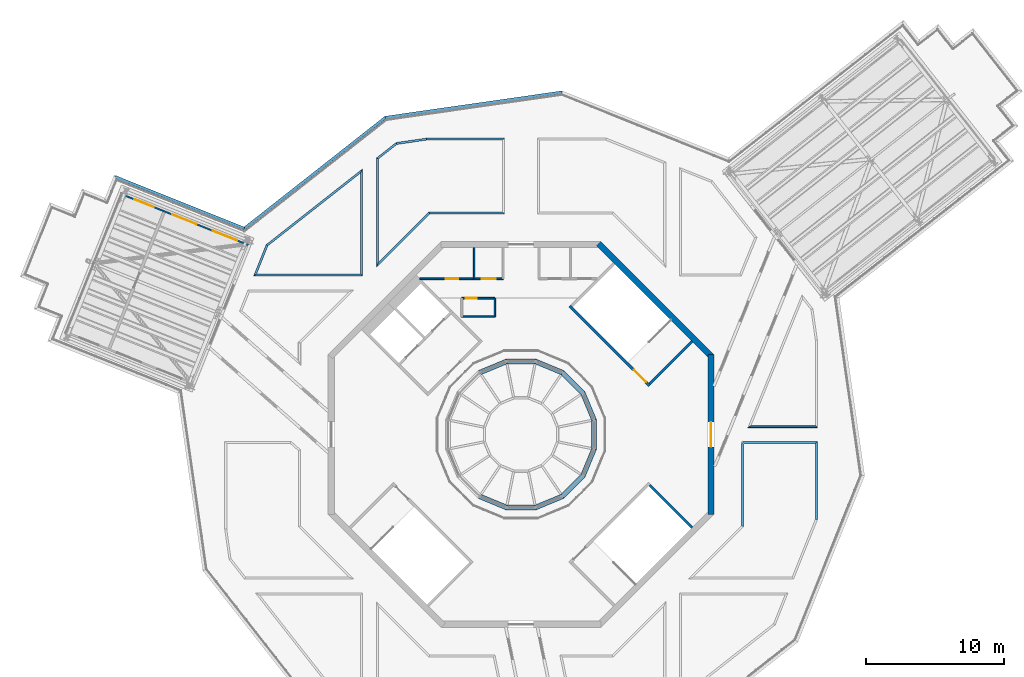
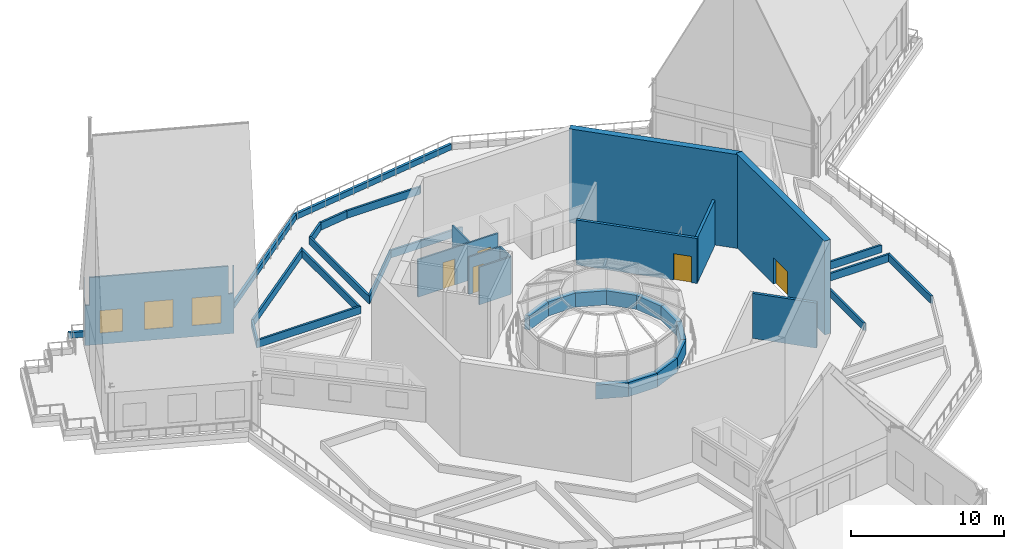
# One storey, part 15 of 32: 39 walls, 5 doors, 3 windows, 8 openings.
"""IFC4 building model written with IfcOpenShell, lengths in metres."""

import ifcopenshell
import ifcopenshell.guid

model = None  # the IFC model being written
_history = None  # IfcOwnerHistory: only IFC2X3 demands one
_inside = {}  # id of a spatial element -> (the spatial element, [elements in it])
_under = {}  # id of a project, library or spatial element -> (it, [spatial elements below it])
_declared = {}  # id of a project -> (the project, [libraries it declares])
_typed = {}  # id of a type object -> (the type object, [elements of that type])
_made_of = {}  # id of a material, layer set ... -> (it, [elements and type objects made of it])


def new_model(schema):
    """Start an empty IFC model of exactly this schema.

    Asked for "IFC4X3", IfcOpenShell would pick the latest addendum, in which some entities
    have other attributes; the version numbers below select the first issue.
    IFC2X3 requires an IfcOwnerHistory on every rooted entity: one is made here for all.
    """
    global model, _history
    if schema == "IFC4X3":
        model = ifcopenshell.file(schema_version=(4, 3, 0, 0))
    else:
        model = ifcopenshell.file(schema=schema)
    _inside.clear()
    _under.clear()
    _declared.clear()
    _typed.clear()
    _made_of.clear()
    _history = None
    if model.schema == "IFC2X3":
        org = make("IfcOrganization", Name="unknown")
        user = make(
            "IfcPersonAndOrganization",
            ThePerson=make("IfcPerson", FamilyName="unknown"),
            TheOrganization=org,
        )
        app = make(
            "IfcApplication",
            ApplicationDeveloper=org,
            Version="unknown",
            ApplicationFullName="unknown",
            ApplicationIdentifier="unknown",
        )
        _history = make(
            "IfcOwnerHistory",
            OwningUser=user,
            OwningApplication=app,
            ChangeAction="ADDED",
            CreationDate=0,
        )
    return model


def make(cls, **values):
    """One entity of the class cls with the attributes given. An attribute that is None is left unset."""
    return model.create_entity(
        cls, **{name: value for name, value in values.items() if value is not None}
    )


def rooted(cls, **values):
    """An entity with a GlobalId (a new one), such as an element, a storey or a relation."""
    return make(cls, GlobalId=ifcopenshell.guid.new(), OwnerHistory=_history, **values)


def si_unit(unit_type, name, prefix=None):
    """IfcSIUnit, for example si_unit("LENGTHUNIT", "METRE", prefix="MILLI")."""
    return make("IfcSIUnit", UnitType=unit_type, Prefix=prefix, Name=name)


def assignment(units):
    """IfcUnitAssignment: the units of a project."""
    return None if units is None else make("IfcUnitAssignment", Units=units)


def point(xyz):
    """IfcCartesianPoint."""
    return None if xyz is None else make("IfcCartesianPoint", Coordinates=xyz)


def direction(xyz):
    """IfcDirection."""
    return None if xyz is None else make("IfcDirection", DirectionRatios=xyz)


def frame(location, z_axis=None, x_axis=None):
    """IfcAxis2Placement3D, a coordinate frame: its origin and axes. An axis left out is left unset."""
    return make(
        "IfcAxis2Placement3D",
        Location=point(location),
        Axis=direction(z_axis),
        RefDirection=direction(x_axis),
    )


def frame_2d(location, x_axis=None):
    """IfcAxis2Placement2D, a coordinate frame in the plane: its origin and x axis."""
    return make(
        "IfcAxis2Placement2D", Location=point(location), RefDirection=direction(x_axis)
    )


def origin():
    """The frame at (0, 0, 0) with its axes left unset."""
    return frame((0.0, 0.0, 0.0))


def place(relative_to, where):
    """IfcLocalPlacement: puts the frame where relative to a parent placement (None: the world)."""
    return make(
        "IfcLocalPlacement", PlacementRelTo=relative_to, RelativePlacement=where
    )


def context(
    kind, dimensions, precision=None, world=None, true_north=None, identifier=None
):
    """IfcGeometricRepresentationContext, for example the 3D "Model" context."""
    return make(
        "IfcGeometricRepresentationContext",
        ContextIdentifier=identifier,
        ContextType=kind,
        CoordinateSpaceDimension=dimensions,
        Precision=precision,
        WorldCoordinateSystem=world,
        TrueNorth=true_north,
    )


def subcontext(parent, identifier, kind, view, scale=None):
    """IfcGeometricRepresentationSubContext, for example "Body" below "Model"."""
    return make(
        "IfcGeometricRepresentationSubContext",
        ContextIdentifier=identifier,
        ContextType=kind,
        ParentContext=parent,
        TargetScale=scale,
        TargetView=view,
    )


def project(units=None, contexts=None):
    """IfcProject with its units and contexts."""
    return rooted(
        "IfcProject",
        Name="project",
        RepresentationContexts=contexts,
        UnitsInContext=assignment(units),
    )


def spatial(cls, under=None, at=None, **own):
    """A site, building, storey or space (cls), placed at a placement, below another one or the project."""
    s = rooted(cls, ObjectPlacement=at, **own)
    if under is not None:
        _under.setdefault(under.id(), (under, []))[1].append(s)
    return s


def polyline(points):
    """IfcPolyline through the points."""
    return make("IfcPolyline", Points=[point(p) for p in points])


def profile(cls, at=None, kind="AREA", **sizes):
    """A parametric profile (cls). Its sizes go by their IFC names, for example OverallWidth=200.0."""
    return make(cls, ProfileType=kind, Position=at, **sizes)


def rectangle(**sizes):
    """IfcRectangleProfileDef."""
    return profile("IfcRectangleProfileDef", **sizes)


def outline(outer, holes=None, kind="AREA"):
    """IfcArbitraryClosedProfileDef: a profile drawn as a closed curve; with holes, ...WithVoids."""
    if holes is None:
        return make("IfcArbitraryClosedProfileDef", ProfileType=kind, OuterCurve=outer)
    return make(
        "IfcArbitraryProfileDefWithVoids",
        ProfileType=kind,
        OuterCurve=outer,
        InnerCurves=holes,
    )


def extrude(swept, where, along, depth):
    """IfcExtrudedAreaSolid: the profile swept, set in the frame where, extruded along a direction by depth."""
    return make(
        "IfcExtrudedAreaSolid",
        SweptArea=swept,
        Position=where,
        ExtrudedDirection=direction(along),
        Depth=depth,
    )


def shape(context_of_items, identifier, shape_type, items):
    """IfcShapeRepresentation: the items that make up one representation, for example the "Body"."""
    return make(
        "IfcShapeRepresentation",
        ContextOfItems=context_of_items,
        RepresentationIdentifier=identifier,
        RepresentationType=shape_type,
        Items=items,
    )


def material(Name=None, Category=None):
    """IfcMaterial."""
    return make("IfcMaterial", Name=Name, Category=Category)


def layer(
    of_material, thickness, ventilated=None, Name=None, Category=None, Priority=None
):
    """IfcMaterialLayer: one layer of a wall or slab, of a material (None: an air gap)."""
    return make(
        "IfcMaterialLayer",
        Material=of_material,
        LayerThickness=thickness,
        IsVentilated=ventilated,
        Name=Name,
        Category=Category,
        Priority=Priority,
    )


def layer_set(layers, Name=None):
    """IfcMaterialLayerSet."""
    return make("IfcMaterialLayerSet", MaterialLayers=layers, LayerSetName=Name)


def made_of(thing, what):
    """Note that an element or type object is made of a material, layer set ...; save() writes the relation."""
    if what is not None:
        _made_of.setdefault(what.id(), (what, []))[1].append(thing)
    return thing


def type_object(cls, material=None, **own):
    """A type object (cls), such as IfcWallType, which elements share."""
    return made_of(rooted(cls, **own), material)


def element(
    cls,
    number,
    at=None,
    inside=None,
    cuts=None,
    type_object=None,
    material=None,
    context=None,
    identifier="Body",
    shape_type=None,
    held_by="IfcProductDefinitionShape",
    body=None,
    shapes=None,
    **own,
):
    """One element of the class cls, such as IfcWall. Its Tag is "e" and its number.

    at: its placement. inside: the storey or other place that contains it. cuts: it is an
    opening in that element (IfcRelVoidsElement). A single representation is given by context,
    identifier, shape_type and body (its items); several are given by shapes. held_by: the class
    of the entity that holds the representations. save() writes the other relations.
    """
    e = rooted(cls, Tag="e%d" % number, ObjectPlacement=at, **own)
    if body is not None:
        shapes = [shape(context, identifier, shape_type, body)]
    if shapes is not None:
        e.Representation = make(held_by, Representations=shapes)
    if inside is not None:
        _inside.setdefault(inside.id(), (inside, []))[1].append(e)
    if cuts is not None:
        rooted(
            "IfcRelVoidsElement", RelatingBuildingElement=cuts, RelatedOpeningElement=e
        )
    if type_object is not None:
        _typed.setdefault(type_object.id(), (type_object, []))[1].append(e)
    return made_of(e, material)


def fill(opening, filler):
    """IfcRelFillsElement: the door or window that sits in an opening."""
    return rooted(
        "IfcRelFillsElement",
        RelatingOpeningElement=opening,
        RelatedBuildingElement=filler,
    )


def aggregate(whole, parts):
    """IfcRelAggregates: a whole, such as a stair, and the parts it consists of."""
    return rooted("IfcRelAggregates", RelatingObject=whole, RelatedObjects=parts)


def save(model, path):
    """Write the relations noted so far, then the file.

    IfcRelAggregates (storeys below a building ...), IfcRelContainedInSpatialStructure (elements
    in a storey), IfcRelDefinesByType, IfcRelAssociatesMaterial and IfcRelDeclares: one each for
    every whole, place, type object, material and project.
    """
    for whole, parts in _under.values():
        aggregate(whole, parts)
    for where, things in _inside.values():
        rooted(
            "IfcRelContainedInSpatialStructure",
            RelatedElements=things,
            RelatingStructure=where,
        )
    for kind, things in _typed.values():
        rooted("IfcRelDefinesByType", RelatedObjects=things, RelatingType=kind)
    for what, things in _made_of.values():
        rooted("IfcRelAssociatesMaterial", RelatedObjects=things, RelatingMaterial=what)
    for by, libraries in _declared.values():
        rooted("IfcRelDeclares", RelatingContext=by, RelatedDefinitions=libraries)
    model.write(path)


model = new_model("IFC4")

# Units and contexts
model_context = context("Model", 3, precision=1e-05, world=origin(), true_north=direction((0.0, 1.0)))
body_context = subcontext(model_context, "Body", "Model", "MODEL_VIEW")
ifc_project = project(units=[si_unit("LENGTHUNIT", "METRE"), si_unit("AREAUNIT", "SQUARE_METRE"), si_unit("VOLUMEUNIT", "CUBIC_METRE"), si_unit("PLANEANGLEUNIT", "RADIAN"), si_unit("MASSUNIT", "GRAM", prefix="KILO")], contexts=[model_context])

# Site, building, storey
site_placement = place(None, origin())
site = spatial("IfcSite", under=ifc_project, at=site_placement, CompositionType="ELEMENT")
building_placement = place(site_placement, origin())
building = spatial("IfcBuilding", under=site, at=building_placement, Name="Verdalira Terraces Hotel", CompositionType="ELEMENT")
storey_placement = place(building_placement, frame((0.0, 0.0, 315.0)))
storey = spatial("IfcBuildingStorey", under=building, at=storey_placement, Name="L78", CompositionType="ELEMENT", Elevation=315.0)

# Wall, opening, door
ifc_material_1 = material(Name="Concrete C50", Category="concrete")
ifc_layer_1 = layer(ifc_material_1, 0.449951171875)
ifc_layer_set_1 = layer_set([ifc_layer_1], Name="Core wall 450 C50")
wall_type_1 = type_object("IfcWallType", Name="Core wall 450 C50", PredefinedType="SHEAR", material=ifc_layer_set_1)
wall_1_placement = place(storey_placement, frame((13.774902, -5.799072, 0.0), z_axis=(0.0, 0.0, 1.0), x_axis=(0.0, 1.0, 0.0)))
wall_1 = element("IfcWall", 1, at=wall_1_placement, inside=storey, type_object=wall_type_1, Name="Core wall CW-L78-1", PredefinedType="SHEAR", context=body_context, shape_type="SweptSolid", body=[
    extrude(rectangle(XDim=11.598145, YDim=0.449951, at=frame_2d((5.799072, 0.0))), origin(), (0.0, 0.0, 1.0), 7.5),
])
opening_1_placement = place(wall_1_placement, frame((4.898926, 0.0, 0.0)))
opening_1 = element("IfcOpeningElement", 2, at=opening_1_placement, cuts=wall_1, Name="Opening L78-D01", PredefinedType="OPENING", context=body_context, shape_type="SweptSolid", body=[
    extrude(rectangle(XDim=1.800049, YDim=2.100098, at=frame_2d((0.899902, 1.050049))), frame((0.0, 0.234863, 0.0), z_axis=(0.0, -1.0, 0.0), x_axis=(1.0, 0.0, 0.0)), (0.0, 0.0, 1.0), 0.469971),
])
ifc_material_2 = material(Name="Steel fire door", Category="steel")
door_type_1 = type_object("IfcDoorType", Name="Garden door pair 1800 x 2100", OperationType="DOUBLE_DOOR_SINGLE_SWING", PredefinedType="DOOR", material=ifc_material_2)
door_1_placement = place(opening_1_placement, origin())
door_1 = element("IfcDoor", 3, at=door_1_placement, inside=storey, type_object=door_type_1, Name="Roof garden door", OperationType="DOUBLE_DOOR_SINGLE_SWING", OverallHeight=2.10009765625, OverallWidth=1.800048828125, PredefinedType="DOOR", context=body_context, shape_type="SweptSolid", body=[
    extrude(rectangle(XDim=1.800049, YDim=2.100098, at=frame_2d((0.899902, 1.050049))), frame((0.0, 0.024902, 0.0), z_axis=(0.0, -1.0, 0.0), x_axis=(1.0, 0.0, 0.0)), (0.0, 0.0, 1.0), 0.050049),
])
fill(opening_1, door_1)

# Walls
wall_2_placement = place(storey_placement, frame((13.84082, 5.639893, 0.0), z_axis=(0.0, 0.0, 1.0), x_axis=(-0.707106781, 0.707106781, 0.0)))
element("IfcWall", 4, at=wall_2_placement, inside=storey, type_object=wall_type_1, Name="Core wall CW-L78-2", PredefinedType="SHEAR", context=body_context, shape_type="SweptSolid", body=[
    extrude(rectangle(XDim=11.5979, YDim=0.449951, at=frame_2d((5.798828, 0.0))), origin(), (0.0, 0.0, 1.0), 7.5),
])
ifc_material_3 = material(Name="Concrete C40", Category="concrete")
ifc_layer_2 = layer(ifc_material_3, 0.14990234375)
ifc_layer_set_2 = layer_set([ifc_layer_2], Name="Crown planter trough 150 x 600")
wall_type_2 = type_object("IfcWallType", Name="Crown planter trough 150 x 600", PredefinedType="SOLIDWALL", material=ifc_layer_set_2)
wall_3_placement = place(storey_placement, origin())
element("IfcWall", 5, at=wall_3_placement, inside=storey, type_object=wall_type_2, Name="Crown garden planter", PredefinedType="SOLIDWALL", context=body_context, shape_type="SweptSolid", body=[
    extrude(outline(polyline([(-1.199951, 21.5), (-6.876221, 21.5), (-6.865479, 21.350098), (-1.350098, 21.350098), (-1.199951, 21.5)])), origin(), (0.0, 0.0, 1.0), 0.600098),
])
wall_4_placement = place(storey_placement, origin())
element("IfcWall", 6, at=wall_4_placement, inside=storey, type_object=wall_type_2, Name="Crown garden planter", PredefinedType="SOLIDWALL", context=body_context, shape_type="SweptSolid", body=[
    extrude(outline(polyline([(-6.876221, 21.5), (-9.062988, 21.186279), (-9.001953, 21.043701), (-6.865479, 21.350098), (-6.876221, 21.5)])), origin(), (0.0, 0.0, 1.0), 0.600098),
])
wall_5_placement = place(storey_placement, origin())
element("IfcWall", 7, at=wall_5_placement, inside=storey, type_object=wall_type_2, Name="Crown garden planter", PredefinedType="SOLIDWALL", context=body_context, shape_type="SweptSolid", body=[
    extrude(outline(polyline([(-9.062988, 21.186279), (-10.5, 20.057373), (-10.350098, 19.984375), (-9.001953, 21.043701), (-9.062988, 21.186279)])), origin(), (0.0, 0.0, 1.0), 0.600098),
])
wall_6_placement = place(storey_placement, origin())
element("IfcWall", 8, at=wall_6_placement, inside=storey, type_object=wall_type_2, Name="Crown garden planter", PredefinedType="SOLIDWALL", context=body_context, shape_type="SweptSolid", body=[
    extrude(outline(polyline([(-10.5, 20.057373), (-10.5, 12.127441), (-10.350098, 12.489502), (-10.350098, 19.984375), (-10.5, 20.057373)])), origin(), (0.0, 0.0, 1.0), 0.600098),
])
wall_7_placement = place(storey_placement, origin())
element("IfcWall", 9, at=wall_7_placement, inside=storey, type_object=wall_type_2, Name="Crown garden planter", PredefinedType="SOLIDWALL", context=body_context, shape_type="SweptSolid", body=[
    extrude(outline(polyline([(-10.5, 12.127441), (-6.627441, 16.0), (-6.689453, 16.149902), (-10.350098, 12.489502), (-10.5, 12.127441)])), origin(), (0.0, 0.0, 1.0), 0.600098),
])
wall_8_placement = place(storey_placement, origin())
element("IfcWall", 10, at=wall_8_placement, inside=storey, type_object=wall_type_2, Name="Crown garden planter", PredefinedType="SOLIDWALL", context=body_context, shape_type="SweptSolid", body=[
    extrude(outline(polyline([(-6.627441, 16.0), (-1.199951, 16.0), (-1.350098, 16.149902), (-6.689453, 16.149902), (-6.627441, 16.0)])), origin(), (0.0, 0.0, 1.0), 0.600098),
])
wall_9_placement = place(storey_placement, origin())
element("IfcWall", 11, at=wall_9_placement, inside=storey, type_object=wall_type_2, Name="Crown garden planter", PredefinedType="SOLIDWALL", context=body_context, shape_type="SweptSolid", body=[
    extrude(outline(polyline([(-18.490479, 13.77832), (-19.403809, 11.5), (-19.181885, 11.649902), (-18.366211, 13.685303), (-18.490479, 13.77832)])), origin(), (0.0, 0.0, 1.0), 0.600098),
])
wall_10_placement = place(storey_placement, origin())
element("IfcWall", 12, at=wall_10_placement, inside=storey, type_object=wall_type_2, Name="Crown garden planter", PredefinedType="SOLIDWALL", context=body_context, shape_type="SweptSolid", body=[
    extrude(outline(polyline([(-19.403809, 11.5), (-11.5, 11.5), (-11.649902, 11.649902), (-19.181885, 11.649902), (-19.403809, 11.5)])), origin(), (0.0, 0.0, 1.0), 0.600098),
])
wall_11_placement = place(storey_placement, origin())
element("IfcWall", 13, at=wall_11_placement, inside=storey, type_object=wall_type_2, Name="Crown garden planter", PredefinedType="SOLIDWALL", context=body_context, shape_type="SweptSolid", body=[
    extrude(outline(polyline([(-11.5, 11.5), (-11.5, 19.271484), (-11.649902, 18.962891), (-11.649902, 11.649902), (-11.5, 11.5)])), origin(), (0.0, 0.0, 1.0), 0.600098),
])
wall_12_placement = place(storey_placement, origin())
element("IfcWall", 14, at=wall_12_placement, inside=storey, type_object=wall_type_2, Name="Crown garden planter", PredefinedType="SOLIDWALL", context=body_context, shape_type="SweptSolid", body=[
    extrude(outline(polyline([(-11.5, 19.271484), (-18.490479, 13.77832), (-18.366211, 13.685303), (-11.649902, 18.962891), (-11.5, 19.271484)])), origin(), (0.0, 0.0, 1.0), 0.600098),
])
wall_13_placement = place(storey_placement, origin())
element("IfcWall", 15, at=wall_13_placement, inside=storey, type_object=wall_type_2, Name="Crown garden planter", PredefinedType="SOLIDWALL", context=body_context, shape_type="SweptSolid", body=[
    extrude(outline(polyline([(21.5, -6.186523), (21.5, -0.5), (21.350098, -0.649902), (21.350098, -6.157471), (21.5, -6.186523)])), origin(), (0.0, 0.0, 1.0), 0.600098),
])
wall_14_placement = place(storey_placement, origin())
element("IfcWall", 16, at=wall_14_placement, inside=storey, type_object=wall_type_2, Name="Crown garden planter", PredefinedType="SOLIDWALL", context=body_context, shape_type="SweptSolid", body=[
    extrude(outline(polyline([(21.5, -0.5), (16.054932, -0.5), (16.155762, -0.649902), (21.350098, -0.649902), (21.5, -0.5)])), origin(), (0.0, 0.0, 1.0), 0.600098),
])
wall_15_placement = place(storey_placement, origin())
element("IfcWall", 17, at=wall_15_placement, inside=storey, type_object=wall_type_2, Name="Crown garden planter", PredefinedType="SOLIDWALL", context=body_context, shape_type="SweptSolid", body=[
    extrude(outline(polyline([(16.0, -0.634766), (16.0, -6.627441), (16.149902, -6.689453), (16.149902, -0.664062), (16.0, -0.634766)])), origin(), (0.0, 0.0, 1.0), 0.600098),
])
wall_16_placement = place(storey_placement, origin())
element("IfcWall", 18, at=wall_16_placement, inside=storey, type_object=wall_type_2, Name="Crown garden planter", PredefinedType="SOLIDWALL", context=body_context, shape_type="SweptSolid", body=[
    extrude(outline(polyline([(16.462402, 0.5), (21.5, 0.5), (21.350098, 0.649902), (16.685547, 0.649902), (16.462402, 0.5)])), origin(), (0.0, 0.0, 1.0), 0.600098),
])

# Wall, opening, door
ifc_material_4 = material(Name="Masonry partition, plastered", Category="masonry")
ifc_layer_3 = layer(ifc_material_4, 0.1201171875)
ifc_layer_set_3 = layer_set([ifc_layer_3], Name="Crown riser and store wall 120 mm")
wall_type_3 = type_object("IfcWallType", Name="Crown riser and store wall 120 mm", PredefinedType="PARTITIONING", material=ifc_layer_set_3)
wall_17_placement = place(storey_placement, frame((-4.300049, 9.889893, 0.0), z_axis=(0.0, 0.0, 1.0), x_axis=(1.0, 0.0, 0.0)))
wall_17 = element("IfcWall", 19, at=wall_17_placement, inside=storey, type_object=wall_type_3, Name="Crown service block wall", PredefinedType="PARTITIONING", context=body_context, shape_type="SweptSolid", body=[
    extrude(rectangle(XDim=2.400146, YDim=0.120117, at=frame_2d((1.200195, 0.0))), origin(), (0.0, 0.0, 1.0), 3.0),
])
opening_2_placement = place(wall_17_placement, frame((0.300049, 0.0, 0.0)))
opening_2 = element("IfcOpeningElement", 20, at=opening_2_placement, cuts=wall_17, Name="Opening L78-D17", PredefinedType="OPENING", context=body_context, shape_type="SweptSolid", body=[
    extrude(rectangle(XDim=0.800049, YDim=2.100098, at=frame_2d((0.399902, 1.050049))), frame((0.0, 0.070068, 0.0), z_axis=(0.0, -1.0, 0.0), x_axis=(1.0, 0.0, 0.0)), (0.0, 0.0, 1.0), 0.140137),
])
ifc_material_5 = material(Name="Steel fire door", Category="steel")
door_type_2 = type_object("IfcDoorType", Name="Riser door 800 x 2100", OperationType="SINGLE_SWING_RIGHT", PredefinedType="DOOR", material=ifc_material_5)
door_2_placement = place(opening_2_placement, origin())
door_2 = element("IfcDoor", 21, at=door_2_placement, inside=storey, type_object=door_type_2, Name="Electrical riser door", OperationType="SINGLE_SWING_RIGHT", OverallHeight=2.10009765625, OverallWidth=0.800048828125, PredefinedType="DOOR", context=body_context, shape_type="SweptSolid", body=[
    extrude(rectangle(XDim=0.800049, YDim=2.100098, at=frame_2d((0.399902, 1.050049))), frame((0.0, 0.024902, 0.0), z_axis=(0.0, -1.0, 0.0), x_axis=(1.0, 0.0, 0.0)), (0.0, 0.0, 1.0), 0.050049),
])
fill(opening_2, door_2)

# Walls
wall_18_placement = place(storey_placement, frame((-1.899902, 9.889893, 0.0), z_axis=(0.0, 0.0, 1.0), x_axis=(0.0, -1.0, 0.0)))
element("IfcWall", 22, at=wall_18_placement, inside=storey, type_object=wall_type_3, Name="Crown service block wall", PredefinedType="PARTITIONING", context=body_context, shape_type="SweptSolid", body=[
    extrude(rectangle(XDim=1.339844, YDim=0.120117, at=frame_2d((0.669922, 0.0))), origin(), (0.0, 0.0, 1.0), 3.0),
])
wall_19_placement = place(storey_placement, frame((-4.300049, 8.550049, 0.0), z_axis=(0.0, 0.0, 1.0), x_axis=(1.0, 0.0, 0.0)))
element("IfcWall", 23, at=wall_19_placement, inside=storey, type_object=wall_type_3, Name="Crown service block wall", PredefinedType="PARTITIONING", context=body_context, shape_type="SweptSolid", body=[
    extrude(rectangle(XDim=2.400146, YDim=0.120117, at=frame_2d((1.200195, 0.0))), origin(), (0.0, 0.0, 1.0), 3.0),
])

# Wall, openings, doors
ifc_material_6 = material(Name="Masonry partition, plastered", Category="masonry")
ifc_layer_4 = layer(ifc_material_6, 0.1201171875)
ifc_layer_set_4 = layer_set([ifc_layer_4], Name="Crown service block wall 120 mm")
wall_type_4 = type_object("IfcWallType", Name="Crown service block wall 120 mm", PredefinedType="PARTITIONING", material=ifc_layer_set_4)
wall_20_placement = place(storey_placement, frame((-7.341553, 11.300049, 0.0), z_axis=(0.0, 0.0, 1.0), x_axis=(1.0, 0.0, 0.0)))
wall_20 = element("IfcWall", 24, at=wall_20_placement, inside=storey, type_object=wall_type_4, Name="Crown service block wall", PredefinedType="PARTITIONING", context=body_context, shape_type="SweptSolid", body=[
    extrude(rectangle(XDim=6.041504, YDim=0.120117, at=frame_2d((3.020752, 0.0))), origin(), (0.0, 0.0, 1.0), 3.0),
])
opening_3_placement = place(wall_20_placement, frame((1.891602, 0.0, 0.0)))
opening_3 = element("IfcOpeningElement", 25, at=opening_3_placement, cuts=wall_20, Name="Opening L78-D13", PredefinedType="OPENING", context=body_context, shape_type="SweptSolid", body=[
    extrude(rectangle(XDim=0.899902, YDim=2.100098, at=frame_2d((0.449951, 1.050049))), frame((0.0, 0.070068, 0.0), z_axis=(0.0, -1.0, 0.0), x_axis=(1.0, 0.0, 0.0)), (0.0, 0.0, 1.0), 0.140137),
])
opening_4_placement = place(wall_20_placement, frame((4.491699, 0.0, 0.0)))
opening_4 = element("IfcOpeningElement", 26, at=opening_4_placement, cuts=wall_20, Name="Opening L78-D14", PredefinedType="OPENING", context=body_context, shape_type="SweptSolid", body=[
    extrude(rectangle(XDim=1.0, YDim=2.100098, at=frame_2d((0.5, 1.050049))), frame((0.0, 0.070068, 0.0), z_axis=(0.0, -1.0, 0.0), x_axis=(1.0, 0.0, 0.0)), (0.0, 0.0, 1.0), 0.140137),
])
ifc_material_7 = material(Name="Timber door set", Category="wood")
door_type_3 = type_object("IfcDoorType", Name="Accessible WC door 1000 x 2100", OperationType="SINGLE_SWING_RIGHT", PredefinedType="DOOR", material=ifc_material_7)
door_3_placement = place(opening_4_placement, origin())
door_3 = element("IfcDoor", 27, at=door_3_placement, inside=storey, type_object=door_type_3, Name="Accessible WC door", OperationType="SINGLE_SWING_RIGHT", OverallHeight=2.10009765625, OverallWidth=1.0, PredefinedType="DOOR", context=body_context, shape_type="SweptSolid", body=[
    extrude(rectangle(XDim=1.0, YDim=2.100098, at=frame_2d((0.5, 1.050049))), frame((0.0, 0.024902, 0.0), z_axis=(0.0, -1.0, 0.0), x_axis=(1.0, 0.0, 0.0)), (0.0, 0.0, 1.0), 0.050049),
])
fill(opening_4, door_3)
ifc_material_8 = material(Name="Timber door set", Category="wood")
door_type_4 = type_object("IfcDoorType", Name="Service block door 900 x 2100", OperationType="SINGLE_SWING_RIGHT", PredefinedType="DOOR", material=ifc_material_8)
door_4_placement = place(opening_3_placement, origin())
door_4 = element("IfcDoor", 28, at=door_4_placement, inside=storey, type_object=door_type_4, Name="Women's WC door", OperationType="SINGLE_SWING_RIGHT", OverallHeight=2.10009765625, OverallWidth=0.89990234375, PredefinedType="DOOR", context=body_context, shape_type="SweptSolid", body=[
    extrude(rectangle(XDim=0.899902, YDim=2.100098, at=frame_2d((0.449951, 1.050049))), frame((0.0, 0.024902, 0.0), z_axis=(0.0, -1.0, 0.0), x_axis=(1.0, 0.0, 0.0)), (0.0, 0.0, 1.0), 0.050049),
])
fill(opening_3, door_4)

# Walls
wall_21_placement = place(storey_placement, frame((-3.399902, 11.300049, 0.0), z_axis=(0.0, 0.0, 1.0), x_axis=(0.0, 1.0, 0.0)))
element("IfcWall", 29, at=wall_21_placement, inside=storey, type_object=wall_type_4, Name="Crown service block wall", PredefinedType="PARTITIONING", context=body_context, shape_type="SweptSolid", body=[
    extrude(rectangle(XDim=2.250977, YDim=0.120117, at=frame_2d((1.125488, 0.0))), origin(), (0.0, 0.0, 1.0), 3.0),
])
ifc_material_9 = material(Name="Concrete C40", Category="concrete")
ifc_layer_5 = layer(ifc_material_9, 0.199951171875)
ifc_layer_set_5 = layer_set([ifc_layer_5], Name="Crown upstand 200 x 450")
wall_type_5 = type_object("IfcWallType", Name="Crown upstand 200 x 450", PredefinedType="SOLIDWALL", material=ifc_layer_set_5)
wall_22_placement = place(storey_placement, frame((-9.83667, 22.994873, 0.0), z_axis=(0.0, 0.0, 1.0), x_axis=(-0.786289732, -0.617857958, 0.0)))
element("IfcWall", 30, at=wall_22_placement, inside=storey, type_object=wall_type_5, Name="Crown upstand", PredefinedType="SOLIDWALL", context=body_context, shape_type="SweptSolid", body=[
    extrude(rectangle(XDim=13.031006, YDim=0.199951, at=frame_2d((6.515625, 0.0))), origin(), (0.0, 0.0, 1.0), 0.449951),
])
wall_23_placement = place(storey_placement, frame((-20.082764, 14.943604, 0.0), z_axis=(0.0, 0.0, 1.0), x_axis=(-0.928228076, 0.372011612, 0.0)))
element("IfcWall", 31, at=wall_23_placement, inside=storey, type_object=wall_type_5, Name="Crown upstand", PredefinedType="SOLIDWALL", context=body_context, shape_type="SweptSolid", body=[
    extrude(rectangle(XDim=10.099365, YDim=0.199951, at=frame_2d((5.049805, 0.0))), origin(), (0.0, 0.0, 1.0), 0.449951),
])
wall_24_placement = place(storey_placement, frame((2.97876, 24.83252, 0.0), z_axis=(0.0, 0.0, 1.0), x_axis=(-0.989875058, -0.14194143, 0.0)))
element("IfcWall", 32, at=wall_24_placement, inside=storey, type_object=wall_type_5, Name="Crown upstand", PredefinedType="SOLIDWALL", context=body_context, shape_type="SweptSolid", body=[
    extrude(rectangle(XDim=12.946533, YDim=0.199951, at=frame_2d((6.473145, 0.0))), origin(), (0.0, 0.0, 1.0), 0.449951),
])
ifc_material_10 = material(Name="Concrete C40", Category="concrete")
ifc_layer_6 = layer(ifc_material_10, 0.35009765625)
ifc_layer_set_6 = layer_set([ifc_layer_6], Name="Lantern curb wall 350 mm")
wall_type_6 = type_object("IfcWallType", Name="Lantern curb wall 350 mm", PredefinedType="SOLIDWALL", material=ifc_layer_set_6)
wall_25_placement = place(storey_placement, origin())
element("IfcWall", 33, at=wall_25_placement, inside=storey, type_object=wall_type_6, Name="Atrium lantern curb", PredefinedType="SOLIDWALL", context=body_context, shape_type="SweptSolid", body=[
    extrude(outline(polyline([(5.471191, 1.088379), (4.638184, 3.099121), (4.341553, 2.900879), (5.121094, 1.018799), (5.471191, 1.088379)])), origin(), (0.0, 0.0, 1.0), 1.120117),
])
wall_26_placement = place(storey_placement, origin())
element("IfcWall", 34, at=wall_26_placement, inside=storey, type_object=wall_type_6, Name="Atrium lantern curb", PredefinedType="SOLIDWALL", context=body_context, shape_type="SweptSolid", body=[
    extrude(outline(polyline([(4.638184, 3.099121), (3.099121, 4.638184), (2.900879, 4.341553), (4.341553, 2.900879), (4.638184, 3.099121)])), origin(), (0.0, 0.0, 1.0), 1.120117),
])
wall_27_placement = place(storey_placement, origin())
element("IfcWall", 35, at=wall_27_placement, inside=storey, type_object=wall_type_6, Name="Atrium lantern curb", PredefinedType="SOLIDWALL", context=body_context, shape_type="SweptSolid", body=[
    extrude(outline(polyline([(3.099121, 4.638184), (1.088379, 5.471191), (1.018799, 5.121094), (2.900879, 4.341553), (3.099121, 4.638184)])), origin(), (0.0, 0.0, 1.0), 1.120117),
])
wall_28_placement = place(storey_placement, origin())
element("IfcWall", 36, at=wall_28_placement, inside=storey, type_object=wall_type_6, Name="Atrium lantern curb", PredefinedType="SOLIDWALL", context=body_context, shape_type="SweptSolid", body=[
    extrude(outline(polyline([(1.088379, 5.471191), (-1.088379, 5.471191), (-1.018799, 5.121094), (1.018799, 5.121094), (1.088379, 5.471191)])), origin(), (0.0, 0.0, 1.0), 1.120117),
])
wall_29_placement = place(storey_placement, origin())
element("IfcWall", 37, at=wall_29_placement, inside=storey, type_object=wall_type_6, Name="Atrium lantern curb", PredefinedType="SOLIDWALL", context=body_context, shape_type="SweptSolid", body=[
    extrude(outline(polyline([(-1.088379, 5.471191), (-3.099121, 4.638184), (-2.900879, 4.341553), (-1.018799, 5.121094), (-1.088379, 5.471191)])), origin(), (0.0, 0.0, 1.0), 1.120117),
])
wall_30_placement = place(storey_placement, origin())
element("IfcWall", 38, at=wall_30_placement, inside=storey, type_object=wall_type_6, Name="Atrium lantern curb", PredefinedType="SOLIDWALL", context=body_context, shape_type="SweptSolid", body=[
    extrude(outline(polyline([(-3.099121, -4.638184), (-1.088379, -5.471191), (-1.018799, -5.121094), (-2.900879, -4.341553), (-3.099121, -4.638184)])), origin(), (0.0, 0.0, 1.0), 1.120117),
])
wall_31_placement = place(storey_placement, origin())
element("IfcWall", 39, at=wall_31_placement, inside=storey, type_object=wall_type_6, Name="Atrium lantern curb", PredefinedType="SOLIDWALL", context=body_context, shape_type="SweptSolid", body=[
    extrude(outline(polyline([(-1.088379, -5.471191), (1.088379, -5.471191), (1.018799, -5.121094), (-1.018799, -5.121094), (-1.088379, -5.471191)])), origin(), (0.0, 0.0, 1.0), 1.120117),
])
wall_32_placement = place(storey_placement, origin())
element("IfcWall", 40, at=wall_32_placement, inside=storey, type_object=wall_type_6, Name="Atrium lantern curb", PredefinedType="SOLIDWALL", context=body_context, shape_type="SweptSolid", body=[
    extrude(outline(polyline([(1.088379, -5.471191), (3.099121, -4.638184), (2.900879, -4.341553), (1.018799, -5.121094), (1.088379, -5.471191)])), origin(), (0.0, 0.0, 1.0), 1.120117),
])
wall_33_placement = place(storey_placement, origin())
element("IfcWall", 41, at=wall_33_placement, inside=storey, type_object=wall_type_6, Name="Atrium lantern curb", PredefinedType="SOLIDWALL", context=body_context, shape_type="SweptSolid", body=[
    extrude(outline(polyline([(3.099121, -4.638184), (4.638184, -3.099121), (4.341553, -2.900879), (2.900879, -4.341553), (3.099121, -4.638184)])), origin(), (0.0, 0.0, 1.0), 1.120117),
])
wall_34_placement = place(storey_placement, origin())
element("IfcWall", 42, at=wall_34_placement, inside=storey, type_object=wall_type_6, Name="Atrium lantern curb", PredefinedType="SOLIDWALL", context=body_context, shape_type="SweptSolid", body=[
    extrude(outline(polyline([(4.638184, -3.099121), (5.471191, -1.088379), (5.121094, -1.018799), (4.341553, -2.900879), (4.638184, -3.099121)])), origin(), (0.0, 0.0, 1.0), 1.120117),
])
wall_35_placement = place(storey_placement, origin())
element("IfcWall", 43, at=wall_35_placement, inside=storey, type_object=wall_type_6, Name="Atrium lantern curb", PredefinedType="SOLIDWALL", context=body_context, shape_type="SweptSolid", body=[
    extrude(outline(polyline([(5.471191, -1.088379), (5.471191, 1.088379), (5.121094, 1.018799), (5.121094, -1.018799), (5.471191, -1.088379)])), origin(), (0.0, 0.0, 1.0), 1.120117),
])

# Wall, openings, windows
ifc_material_11 = material(Name="Concrete C40", Category="concrete")
ifc_layer_7 = layer(ifc_material_11, 0.1201171875)
ifc_layer_set_7 = layer_set([ifc_layer_7], Name="Pavilion side wall G1 120 mm")
wall_type_7 = type_object("IfcWallType", Name="Pavilion side wall G1 120 mm", PredefinedType="SOLIDWALL", material=ifc_layer_set_7)
wall_36_placement = place(storey_placement, frame((-19.796143, 13.751465, 0.0), z_axis=(0.0, 0.0, 1.0), x_axis=(-0.928229188, 0.372008836, 0.0)))
wall_36 = element("IfcWall", 44, at=wall_36_placement, inside=storey, type_object=wall_type_7, Name="Garden pavilion side wall G1b", PredefinedType="SOLIDWALL", context=body_context, shape_type="SweptSolid", body=[
    extrude(outline(polyline([(0.0, 0.0), (9.872314, 0.0), (9.872314, 5.402588), (9.849854, 5.402588), (9.848877, 3.192139), (9.569824, 3.192139), (9.568848, 5.402588), (0.38916, 5.402588), (0.388184, 3.192139), (0.109131, 3.192139), (0.108154, 5.402588), (0.0, 5.402588), (0.0, 0.0)])), frame((0.0, 0.060059, 0.0), z_axis=(0.0, -1.0, 0.0), x_axis=(1.0, 0.0, 0.0)), (0.0, 0.0, 1.0), 0.120117),
])
opening_5_placement = place(wall_36_placement, frame((0.875, 0.0, 0.899902)))
opening_5 = element("IfcOpeningElement", 45, at=opening_5_placement, cuts=wall_36, Name="Opening WGW", PredefinedType="OPENING", context=body_context, shape_type="SweptSolid", body=[
    extrude(rectangle(XDim=1.899902, YDim=2.199951, at=frame_2d((0.949951, 1.100098))), frame((0.0, 0.070068, 0.0), z_axis=(0.0, -1.0, 0.0), x_axis=(1.0, 0.0, 0.0)), (0.0, 0.0, 1.0), 0.140137),
])
opening_6_placement = place(wall_36_placement, frame((4.028564, 0.0, 0.899902)))
opening_6 = element("IfcOpeningElement", 46, at=opening_6_placement, cuts=wall_36, Name="Opening WGW", PredefinedType="OPENING", context=body_context, shape_type="SweptSolid", body=[
    extrude(rectangle(XDim=1.899902, YDim=2.199951, at=frame_2d((0.949951, 1.100098))), frame((0.0, 0.070068, 0.0), z_axis=(0.0, -1.0, 0.0), x_axis=(1.0, 0.0, 0.0)), (0.0, 0.0, 1.0), 0.140137),
])
opening_7_placement = place(wall_36_placement, frame((7.38208, 0.0, 0.899902)))
opening_7 = element("IfcOpeningElement", 47, at=opening_7_placement, cuts=wall_36, Name="Opening WLP", PredefinedType="OPENING", context=body_context, shape_type="SweptSolid", body=[
    extrude(rectangle(XDim=1.5, YDim=1.800049, at=frame_2d((0.75, 0.899902))), frame((0.0, 0.070068, 0.0), z_axis=(0.0, -1.0, 0.0), x_axis=(1.0, 0.0, 0.0)), (0.0, 0.0, 1.0), 0.140137),
])
ifc_material_12 = material(Name="Clear laminated glass", Category="glass")
window_type_1 = type_object("IfcWindowType", Name="Pavilion window 1900 x 2200", PartitioningType="DOUBLE_PANEL_HORIZONTAL", PredefinedType="WINDOW", material=ifc_material_12)
window_1_placement = place(opening_5_placement, origin())
window_1 = element("IfcWindow", 48, at=window_1_placement, inside=storey, type_object=window_type_1, Name="Garden pavilion window", OverallHeight=2.199951171875, OverallWidth=1.89990234375, PartitioningType="DOUBLE_PANEL_HORIZONTAL", PredefinedType="WINDOW", context=body_context, shape_type="SweptSolid", body=[
    extrude(rectangle(XDim=1.899902, YDim=2.199951, at=frame_2d((0.949951, 1.100098))), frame((0.0, 0.030029, 0.0), z_axis=(0.0, -1.0, 0.0), x_axis=(1.0, 0.0, 0.0)), (0.0, 0.0, 1.0), 0.060059),
])
fill(opening_5, window_1)
window_2_placement = place(opening_6_placement, origin())
window_2 = element("IfcWindow", 49, at=window_2_placement, inside=storey, type_object=window_type_1, Name="Garden pavilion window", OverallHeight=2.199951171875, OverallWidth=1.89990234375, PartitioningType="DOUBLE_PANEL_HORIZONTAL", PredefinedType="WINDOW", context=body_context, shape_type="SweptSolid", body=[
    extrude(rectangle(XDim=1.899902, YDim=2.199951, at=frame_2d((0.949951, 1.100098))), frame((0.0, 0.030029, 0.0), z_axis=(0.0, -1.0, 0.0), x_axis=(1.0, 0.0, 0.0)), (0.0, 0.0, 1.0), 0.060059),
])
fill(opening_6, window_2)
ifc_material_13 = material(Name="Bronze-finished steel louvre", Category="steel")
window_type_2 = type_object("IfcWindowType", Name="Plant room louvre 1500 x 1800", PartitioningType="SINGLE_PANEL", PredefinedType="WINDOW", material=ifc_material_13)
window_3_placement = place(opening_7_placement, origin())
window_3 = element("IfcWindow", 50, at=window_3_placement, inside=storey, type_object=window_type_2, Name="Plant room louvre", OverallHeight=1.800048828125, OverallWidth=1.5, PartitioningType="SINGLE_PANEL", PredefinedType="WINDOW", context=body_context, shape_type="SweptSolid", body=[
    extrude(rectangle(XDim=1.5, YDim=1.800049, at=frame_2d((0.75, 0.899902))), frame((0.0, 0.030029, 0.0), z_axis=(0.0, -1.0, 0.0), x_axis=(1.0, 0.0, 0.0)), (0.0, 0.0, 1.0), 0.060059),
])
fill(opening_7, window_3)

# Wall, opening, door
ifc_material_14 = material(Name="Concrete C50", Category="concrete")
ifc_layer_8 = layer(ifc_material_14, 0.199951171875)
ifc_layer_set_8 = layer_set([ifc_layer_8], Name="Stair head-house wall 200 C50")
wall_type_8 = type_object("IfcWallType", Name="Stair head-house wall 200 C50", PredefinedType="SOLIDWALL", material=ifc_layer_set_8)
wall_37_placement = place(storey_placement, frame((3.5354, 9.33374, 0.0), z_axis=(0.0, 0.0, 1.0), x_axis=(0.707106781, -0.707106781, 0.0)))
wall_37 = element("IfcWall", 51, at=wall_37_placement, inside=storey, type_object=wall_type_8, Name="L78 stair ST1 front wall", PredefinedType="SOLIDWALL", context=body_context, shape_type="SweptSolid", body=[
    extrude(rectangle(XDim=8.200195, YDim=0.199951, at=frame_2d((4.100098, 0.0))), origin(), (0.0, 0.0, 1.0), 3.600098),
])
opening_8_placement = place(wall_37_placement, frame((6.600098, 0.0, 0.0)))
opening_8 = element("IfcOpeningElement", 52, at=opening_8_placement, cuts=wall_37, Name="Opening L78-803", PredefinedType="OPENING", context=body_context, shape_type="SweptSolid", body=[
    extrude(rectangle(XDim=1.199951, YDim=2.100098, at=frame_2d((0.600098, 1.050049))), frame((0.0, 0.109863, 0.0), z_axis=(0.0, -1.0, 0.0), x_axis=(1.0, 0.0, 0.0)), (0.0, 0.0, 1.0), 0.219971),
])
ifc_material_15 = material(Name="Steel fire door", Category="steel")
door_type_5 = type_object("IfcDoorType", Name="Stair door 1200 x 2100", OperationType="NOTDEFINED", PredefinedType="DOOR", material=ifc_material_15)
door_5_placement = place(opening_8_placement, origin())
door_5 = element("IfcDoor", 53, at=door_5_placement, inside=storey, type_object=door_type_5, Name="Stair door ST1 L78", OperationType="SINGLE_SWING_RIGHT", OverallHeight=2.10009765625, OverallWidth=1.199951171875, PredefinedType="DOOR", context=body_context, shape_type="SweptSolid", body=[
    extrude(rectangle(XDim=1.199951, YDim=2.100098, at=frame_2d((0.600098, 1.050049))), frame((0.0, 0.024902, 0.0), z_axis=(0.0, -1.0, 0.0), x_axis=(1.0, 0.0, 0.0)), (0.0, 0.0, 1.0), 0.050049),
])
fill(opening_8, door_5)

# Walls
for number, where, z_axis, x_axis, name in (
    (54, (9.33374, 3.677002, 0.0), (0.0, 0.0, 1.0), (0.707106781, 0.707106781, 0.0), "L78 stair ST1 end wall 1"),
    (55, (9.33374, -3.677002, 0.0), (0.0, 0.0, 1.0), (0.707106781, -0.707106781, 0.0), "L78 stair ST3 end wall 2"),
):
    element("IfcWall", number, at=place(storey_placement, frame(where, z_axis=z_axis, x_axis=x_axis)), inside=storey, type_object=wall_type_8, Name=name, PredefinedType="SOLIDWALL", context=body_context, shape_type="SweptSolid", body=[
        extrude(rectangle(XDim=4.350098, YDim=0.199951, at=frame_2d((2.175049, 0.0))), origin(), (0.0, 0.0, 1.0), 3.600098),
    ])

save(model, "model.ifc")
